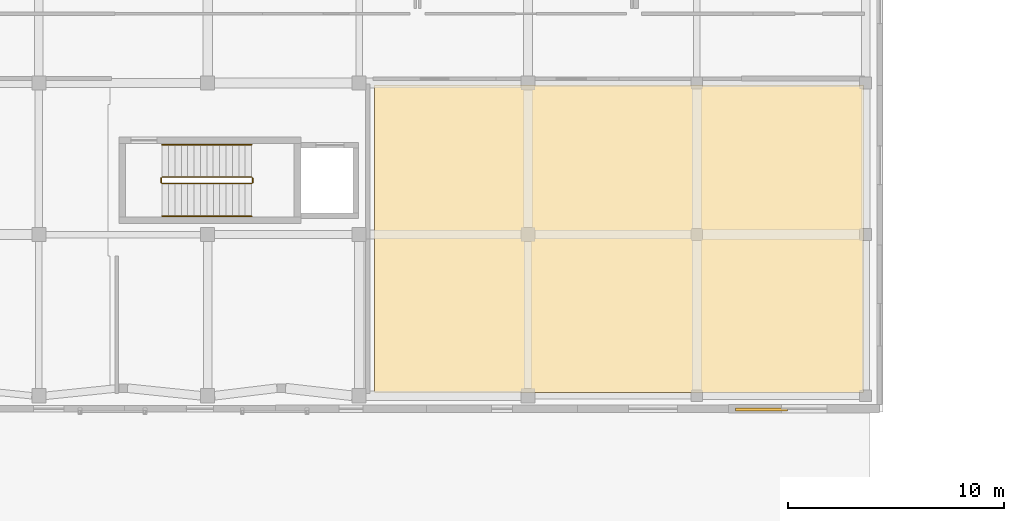
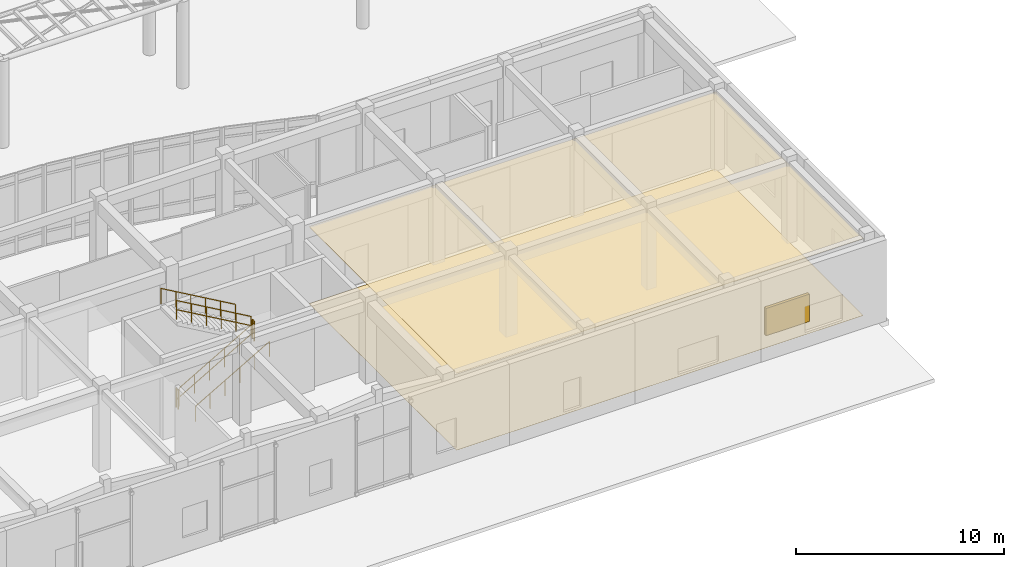
# One storey, part 115 of 121: 6 railings, 2 coverings, 1 shading device.
"""IFC4 building model written with IfcOpenShell, lengths in metres."""

from ifc_helpers import new_model, si_unit, direction, frame, origin, origin_2d, place, context, subcontext, project, spatial, polyline, rectangle, circle, outline, extrude, material, layer, layer_set, type_object, element, save


model = new_model("IFC4")

# Units and contexts
model_context = context("Model", 3, precision=1e-05, world=origin(), true_north=direction((0.0, 1.0)))
body_context = subcontext(model_context, "Body", "Model", "MODEL_VIEW")
ifc_project = project(units=[si_unit("LENGTHUNIT", "METRE"), si_unit("AREAUNIT", "SQUARE_METRE"), si_unit("VOLUMEUNIT", "CUBIC_METRE"), si_unit("PLANEANGLEUNIT", "RADIAN"), si_unit("MASSUNIT", "GRAM", prefix="KILO")], contexts=[model_context])

# Site, building, storey
site_placement = place(None, origin())
site = spatial("IfcSite", under=ifc_project, at=site_placement, CompositionType="ELEMENT")
building_placement = place(site_placement, origin())
building = spatial("IfcBuilding", under=site, at=building_placement, Name="Valcora Specialist Clinic", CompositionType="ELEMENT")
storey_placement = place(building_placement, origin())
storey = spatial("IfcBuildingStorey", under=building, at=storey_placement, Name="L00", CompositionType="ELEMENT", Elevation=0.0)

# Coverings
ifc_material_1 = material(Name="Acoustic Mineral Ceiling Tile")
ifc_layer_1 = layer(ifc_material_1, 0.02001953125)
ifc_layer_set_1 = layer_set([ifc_layer_1], Name="Acoustic Mineral Ceiling Tile")
covering_type_1 = type_object("IfcCoveringType", Name="TY-CV-CLG020", PredefinedType="CEILING", material=ifc_layer_set_1)
covering_1_placement = place(storey_placement, frame((0.0, 0.0, 4.514892578125)))
element("IfcCovering", 1, at=covering_1_placement, inside=storey, type_object=covering_type_1, Name="Acoustic ceiling tile 6", PredefinedType="CEILING", context=body_context, shape_type="SweptSolid", body=[
    extrude(outline(polyline([(122.699951171875, 15.10009765625), (122.699951171875, 0.89990234375), (100.10009765625, 0.89990234375), (100.10009765625, 15.10009765625), (122.699951171875, 15.10009765625)])), origin(), (0.0, 0.0, 1.0), 0.02001953125),
])
ifc_material_2 = material(Name="Antimicrobial Vinyl Clinical Flooring")
ifc_layer_2 = layer(ifc_material_2, 0.008056640625)
ifc_layer_set_2 = layer_set([ifc_layer_2], Name="Antimicrobial Vinyl Clinical Flooring")
covering_type_2 = type_object("IfcCoveringType", Name="TY-CV-FLR008", PredefinedType="FLOORING", material=ifc_layer_set_2)
covering_2_placement = place(storey_placement, origin())
element("IfcCovering", 2, at=covering_2_placement, inside=storey, type_object=covering_type_2, Name="Antimicrobial clinical flooring 6", PredefinedType="FLOORING", context=body_context, shape_type="SweptSolid", body=[
    extrude(outline(polyline([(122.699951171875, 15.10009765625), (122.699951171875, 0.89990234375), (100.10009765625, 0.89990234375), (100.10009765625, 15.10009765625), (122.699951171875, 15.10009765625)])), origin(), (0.0, 0.0, 1.0), 0.008056640625),
])

# Railings
ifc_material_3 = material(Name="Stainless Steel AISI 316", Category="steel")
railing_type_1 = type_object("IfcRailingType", Name="TY-RL-GRD112", PredefinedType="GUARDRAIL", material=ifc_material_3)
railing_1_placement = place(storey_placement, frame((90.300048828125, 10.550048828125, 0.169921875)))
element("IfcRailing", 3, at=railing_1_placement, inside=storey, type_object=railing_type_1, Name="L00 ST-V6B stair guard 1", PredefinedType="GUARDRAIL", context=body_context, shape_type="SweptSolid", body=[
    extrude(circle(Radius=0.02392578125, at=origin_2d()), frame((0.0, 0.0, 1.09619140625), z_axis=(0.866412313535, 0.0, 0.499329253053), x_axis=(0.0, 1.0, 0.0)), (0.0, 0.0, 1.0), 4.7666015625),
    extrude(circle(Radius=0.02392578125, at=origin_2d()), frame((0.0, 0.0, 0.56005859375), z_axis=(0.866412313535, 0.0, 0.499329253053), x_axis=(0.0, 1.0, 0.0)), (0.0, 0.0, 1.0), 4.7666015625),
    extrude(circle(Radius=0.02099609375, at=origin_2d()), origin(), (0.0, 0.0, 1.0), 1.072021484375),
    extrude(circle(Radius=0.02099609375, at=origin_2d()), frame((0.825927734375, 0.0, 0.47607421875)), (0.0, 0.0, 1.0), 1.072021484375),
    extrude(circle(Radius=0.02099609375, at=origin_2d()), frame((1.65185546875, 0.0, 0.9521484375)), (0.0, 0.0, 1.0), 1.072021484375),
    extrude(circle(Radius=0.02099609375, at=origin_2d()), frame((2.47802734375, 0.0, 1.427978515625)), (0.0, 0.0, 1.0), 1.072021484375),
    extrude(circle(Radius=0.02099609375, at=origin_2d()), frame((3.303955078125, 0.0, 1.904052734375)), (0.0, 0.0, 1.0), 1.072021484375),
    extrude(circle(Radius=0.02099609375, at=origin_2d()), frame((4.1298828125, 0.0, 2.380126953125)), (0.0, 0.0, 1.0), 1.072021484375),
])
railing_2_placement = place(storey_placement, frame((94.47998046875, 10.60009765625, 2.550048828125)))
element("IfcRailing", 4, at=railing_2_placement, inside=storey, type_object=railing_type_1, Name="L00 ST-V6B stair guard 2", PredefinedType="GUARDRAIL", context=body_context, shape_type="SweptSolid", body=[
    extrude(circle(Radius=0.02392578125, at=origin_2d()), frame((0.0, 0.0, 1.09619140625), z_axis=(0.0, 1.0, 0.0), x_axis=(-1.0, 0.0, 0.0)), (0.0, 0.0, 1.0), 0.199951171875),
    extrude(circle(Radius=0.02392578125, at=origin_2d()), frame((0.0, 0.0, 0.56005859375), z_axis=(0.0, 1.0, 0.0), x_axis=(-1.0, 0.0, 0.0)), (0.0, 0.0, 1.0), 0.199951171875),
    extrude(circle(Radius=0.02099609375, at=origin_2d()), origin(), (0.0, 0.0, 1.0), 1.072021484375),
    extrude(circle(Radius=0.02099609375, at=origin_2d()), frame((0.0, 0.199951171875, 0.0)), (0.0, 0.0, 1.0), 1.072021484375),
])
railing_3_placement = place(storey_placement, frame((94.429931640625, 10.85009765625, 2.719970703125)))
element("IfcRailing", 5, at=railing_3_placement, inside=storey, type_object=railing_type_1, Name="L00 ST-V6B stair guard 3", PredefinedType="GUARDRAIL", context=body_context, shape_type="SweptSolid", body=[
    extrude(circle(Radius=0.02392578125, at=origin_2d()), frame((0.0, 0.0, 1.09619140625), z_axis=(-0.866412313535, 0.0, 0.499329253053), x_axis=(0.0, -1.0, 0.0)), (0.0, 0.0, 1.0), 4.7666015625),
    extrude(circle(Radius=0.02392578125, at=origin_2d()), frame((0.0, 0.0, 0.56005859375), z_axis=(-0.866412313535, 0.0, 0.499329253053), x_axis=(0.0, -1.0, 0.0)), (0.0, 0.0, 1.0), 4.7666015625),
    extrude(circle(Radius=0.02099609375, at=origin_2d()), origin(), (0.0, 0.0, 1.0), 1.072021484375),
    extrude(circle(Radius=0.02099609375, at=origin_2d()), frame((-0.825927734375, 0.0, 0.47607421875)), (0.0, 0.0, 1.0), 1.072021484375),
    extrude(circle(Radius=0.02099609375, at=origin_2d()), frame((-1.65185546875, 0.0, 0.9521484375)), (0.0, 0.0, 1.0), 1.072021484375),
    extrude(circle(Radius=0.02099609375, at=origin_2d()), frame((-2.47802734375, 0.0, 1.427978515625)), (0.0, 0.0, 1.0), 1.072021484375),
    extrude(circle(Radius=0.02099609375, at=origin_2d()), frame((-3.303955078125, 0.0, 1.904052734375)), (0.0, 0.0, 1.0), 1.072021484375),
    extrude(circle(Radius=0.02099609375, at=origin_2d()), frame((-4.1298828125, 0.0, 2.380126953125)), (0.0, 0.0, 1.0), 1.072021484375),
])
railing_4_placement = place(storey_placement, frame((90.25, 10.60009765625, 0.0)))
element("IfcRailing", 6, at=railing_4_placement, inside=storey, type_object=railing_type_1, Name="L00 ST-V6B stair guard 4", PredefinedType="GUARDRAIL", context=body_context, shape_type="SweptSolid", body=[
    extrude(circle(Radius=0.02392578125, at=origin_2d()), frame((0.0, 0.0, 1.09619140625), z_axis=(0.0, 1.0, 0.0), x_axis=(-1.0, 0.0, 0.0)), (0.0, 0.0, 1.0), 0.199951171875),
    extrude(circle(Radius=0.02392578125, at=origin_2d()), frame((0.0, 0.0, 0.56005859375), z_axis=(0.0, 1.0, 0.0), x_axis=(-1.0, 0.0, 0.0)), (0.0, 0.0, 1.0), 0.199951171875),
    extrude(circle(Radius=0.02099609375, at=origin_2d()), origin(), (0.0, 0.0, 1.0), 1.072021484375),
    extrude(circle(Radius=0.02099609375, at=origin_2d()), frame((0.0, 0.199951171875, 0.0)), (0.0, 0.0, 1.0), 1.072021484375),
])
railing_type_2 = type_object("IfcRailingType", Name="TY-RL-HND092", PredefinedType="HANDRAIL", material=ifc_material_3)
railing_5_placement = place(storey_placement, frame((90.300048828125, 9.050048828125, 0.169921875)))
element("IfcRailing", 7, at=railing_5_placement, inside=storey, type_object=railing_type_2, Name="L00 ST-V6B stair handrail 1", PredefinedType="HANDRAIL", context=body_context, shape_type="SweptSolid", body=[
    extrude(circle(Radius=0.02392578125, at=origin_2d()), frame((0.0, 0.0, 0.89599609375), z_axis=(0.866412313535, 0.0, 0.499329253053), x_axis=(0.0, 1.0, 0.0)), (0.0, 0.0, 1.0), 4.7666015625),
    extrude(circle(Radius=0.02099609375, at=origin_2d()), origin(), (0.0, 0.0, 1.0), 0.871826171875),
    extrude(circle(Radius=0.02099609375, at=origin_2d()), frame((0.825927734375, 0.0, 0.47607421875)), (0.0, 0.0, 1.0), 0.871826171875),
    extrude(circle(Radius=0.02099609375, at=origin_2d()), frame((1.65185546875, 0.0, 0.9521484375)), (0.0, 0.0, 1.0), 0.871826171875),
    extrude(circle(Radius=0.02099609375, at=origin_2d()), frame((2.47802734375, 0.0, 1.427978515625)), (0.0, 0.0, 1.0), 0.871826171875),
    extrude(circle(Radius=0.02099609375, at=origin_2d()), frame((3.303955078125, 0.0, 1.904052734375)), (0.0, 0.0, 1.0), 0.871826171875),
    extrude(circle(Radius=0.02099609375, at=origin_2d()), frame((4.1298828125, 0.0, 2.380126953125)), (0.0, 0.0, 1.0), 0.871826171875),
])
railing_6_placement = place(storey_placement, frame((94.429931640625, 12.35009765625, 2.719970703125)))
element("IfcRailing", 8, at=railing_6_placement, inside=storey, type_object=railing_type_2, Name="L00 ST-V6B stair handrail 2", PredefinedType="HANDRAIL", context=body_context, shape_type="SweptSolid", body=[
    extrude(circle(Radius=0.02392578125, at=origin_2d()), frame((0.0, 0.0, 0.89599609375), z_axis=(-0.866412313535, 0.0, 0.499329253053), x_axis=(0.0, -1.0, 0.0)), (0.0, 0.0, 1.0), 4.7666015625),
    extrude(circle(Radius=0.02099609375, at=origin_2d()), origin(), (0.0, 0.0, 1.0), 0.871826171875),
    extrude(circle(Radius=0.02099609375, at=origin_2d()), frame((-0.825927734375, 0.0, 0.47607421875)), (0.0, 0.0, 1.0), 0.871826171875),
    extrude(circle(Radius=0.02099609375, at=origin_2d()), frame((-1.65185546875, 0.0, 0.9521484375)), (0.0, 0.0, 1.0), 0.871826171875),
    extrude(circle(Radius=0.02099609375, at=origin_2d()), frame((-2.47802734375, 0.0, 1.427978515625)), (0.0, 0.0, 1.0), 0.871826171875),
    extrude(circle(Radius=0.02099609375, at=origin_2d()), frame((-3.303955078125, 0.0, 1.904052734375)), (0.0, 0.0, 1.0), 0.871826171875),
    extrude(circle(Radius=0.02099609375, at=origin_2d()), frame((-4.1298828125, 0.0, 2.380126953125)), (0.0, 0.0, 1.0), 0.871826171875),
])

# Shading device
ifc_material_4 = material(Name="Anodized Bronze Aluminium 6063-T6", Category="aluminium")
ifc_layer_3 = layer(ifc_material_4, 0.14990234375)
ifc_layer_set_3 = layer_set([ifc_layer_3], Name="Anodized Bronze Aluminium 6063-T6")
shading_device_type = type_object("IfcShadingDeviceType", Name="TY-SD-LVR240", PredefinedType="JALOUSIE", material=ifc_layer_set_3)
shading_device_placement = place(storey_placement, frame((118.0, 0.1201171875, 1.39990234375), z_axis=(0.0, 0.0, 1.0), x_axis=(1.0, 0.0, 0.0)))
element("IfcShadingDevice", 9, at=shading_device_placement, inside=storey, type_object=shading_device_type, Name="Acoustic plant louvre 46", PredefinedType="JALOUSIE", context=body_context, shape_type="SweptSolid", body=[
    extrude(rectangle(XDim=2.39990234375, YDim=0.14990234375, at=origin_2d()), origin(), (0.0, 0.0, 1.0), 1.60009765625),
])

save(model, "model.ifc")
